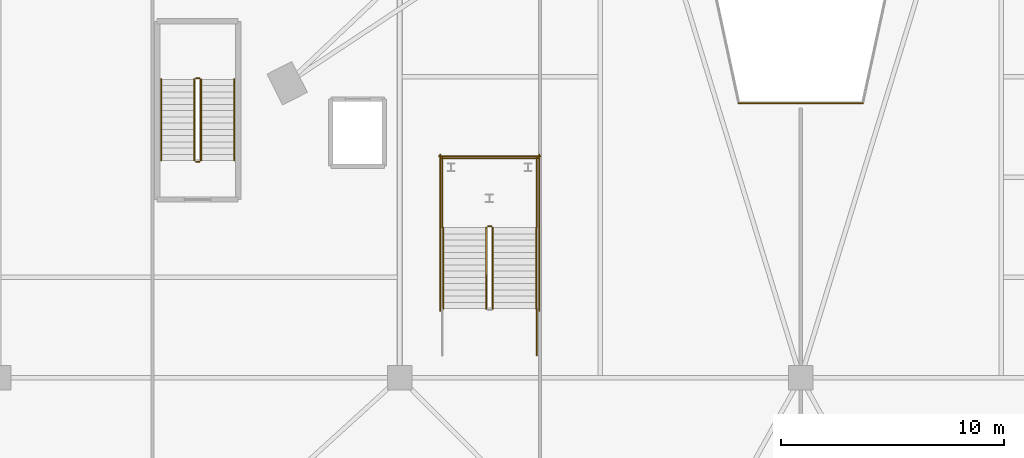
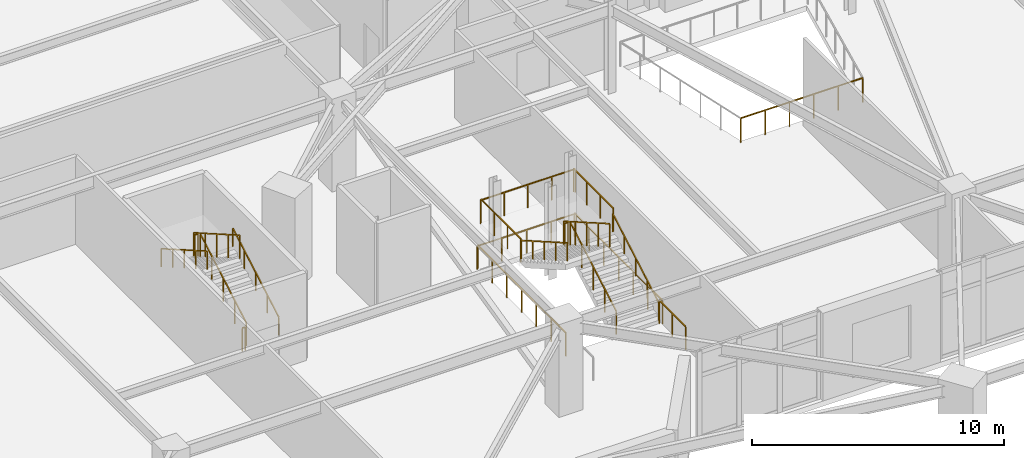
# One storey, part 25 of 29: 19 railings.
"""IFC4 building model written with IfcOpenShell, lengths in metres."""

from ifc_helpers import new_model, si_unit, direction, frame, origin, origin_2d, place, context, subcontext, project, spatial, rectangle, extrude, material, type_object, element, save


model = new_model("IFC4")

# Units and contexts
model_context = context("Model", 3, precision=1e-05, world=origin(), true_north=direction((0.0, 1.0)))
body_context = subcontext(model_context, "Body", "Model", "MODEL_VIEW")
ifc_project = project(units=[si_unit("LENGTHUNIT", "METRE"), si_unit("AREAUNIT", "SQUARE_METRE"), si_unit("VOLUMEUNIT", "CUBIC_METRE"), si_unit("PLANEANGLEUNIT", "RADIAN"), si_unit("MASSUNIT", "GRAM", prefix="KILO")], contexts=[model_context])

# Site, building, storey
site_placement = place(None, origin())
site = spatial("IfcSite", under=ifc_project, at=site_placement, CompositionType="ELEMENT")
building_placement = place(site_placement, origin())
building = spatial("IfcBuilding", under=site, at=building_placement, Name="Liaohun Quay Tower", CompositionType="ELEMENT")
storey_placement = place(building_placement, frame((0.0, 0.0, 5.39990234375)))
storey = spatial("IfcBuildingStorey", under=building, at=storey_placement, Name="L02", CompositionType="ELEMENT", Elevation=5.39990234375)

# Railings
ifc_material_1 = material(Name="Laminated safety glass and stainless steel", Category="steel")
railing_type_1 = type_object("IfcRailingType", Name="RLG-GUARD-ATR", PredefinedType="BALUSTRADE", material=ifc_material_1)
railing_1_placement = place(storey_placement, frame((46.179931640625, 27.10009765625, 0.160888671875)))
element("IfcRailing", 1, at=railing_1_placement, inside=storey, type_object=railing_type_1, Name="L02 ST-A stair guard 1", PredefinedType="BALUSTRADE", context=body_context, shape_type="SweptSolid", body=[
    extrude(rectangle(XDim=0.048095703125, YDim=0.048095703125, at=origin_2d()), frame((0.0, 0.0, 1.1259765625), z_axis=(0.0, 0.867300072446, 0.497785681127), x_axis=(-1.0, 0.0, 0.0)), (0.0, 0.0, 1.0), 4.19677734375),
    extrude(rectangle(XDim=0.0419921875, YDim=0.0419921875, at=origin_2d()), origin(), (0.0, 0.0, 1.0), 1.101806640625),
    extrude(rectangle(XDim=0.0419921875, YDim=0.0419921875, at=origin_2d()), frame((0.0, 0.909912109375, 0.522216796875)), (0.0, 0.0, 1.0), 1.101806640625),
    extrude(rectangle(XDim=0.0419921875, YDim=0.0419921875, at=origin_2d()), frame((0.0, 1.81982421875, 1.04443359375)), (0.0, 0.0, 1.0), 1.101806640625),
    extrude(rectangle(XDim=0.0419921875, YDim=0.0419921875, at=origin_2d()), frame((0.0, 2.72998046875, 1.56689453125)), (0.0, 0.0, 1.0), 1.101806640625),
    extrude(rectangle(XDim=0.0419921875, YDim=0.0419921875, at=origin_2d()), frame((0.0, 3.639892578125, 2.089111328125)), (0.0, 0.0, 1.0), 1.101806640625),
])
railing_2_placement = place(storey_placement, frame((46.10009765625, 30.7900390625, 2.25)))
element("IfcRailing", 2, at=railing_2_placement, inside=storey, type_object=railing_type_1, Name="L02 ST-A stair guard 2", PredefinedType="BALUSTRADE", context=body_context, shape_type="SweptSolid", body=[
    extrude(rectangle(XDim=0.048095703125, YDim=0.048095703125, at=origin_2d()), frame((0.0, 0.0, 1.1259765625), z_axis=(-1.0, 0.0, 0.0), x_axis=(0.0, -1.0, 0.0)), (0.0, 0.0, 1.0), 0.14013671875),
    extrude(rectangle(XDim=0.0419921875, YDim=0.0419921875, at=origin_2d()), origin(), (0.0, 0.0, 1.0), 1.101806640625),
    extrude(rectangle(XDim=0.0419921875, YDim=0.0419921875, at=origin_2d()), frame((-0.14013671875, 0.0, 0.0)), (0.0, 0.0, 1.0), 1.101806640625),
])
for number, where, name in (
    (3, (48.14990234375, 30.739990234375, 2.25), "L02 ST-A stair guard 3"),
    (4, (43.909912109375, 30.739990234375, 2.25), "L02 ST-A stair guard 4"),
):
    element("IfcRailing", number, at=place(storey_placement, frame(where)), inside=storey, type_object=railing_type_1, Name=name, PredefinedType="BALUSTRADE", context=body_context, shape_type="SweptSolid", body=[
        extrude(rectangle(XDim=0.048095703125, YDim=0.048095703125, at=origin_2d()), frame((0.0, 0.0, 1.1259765625), z_axis=(0.0, 1.0, 0.0), x_axis=(-1.0, 0.0, 0.0)), (0.0, 0.0, 1.0), 3.159912109375),
        extrude(rectangle(XDim=0.0419921875, YDim=0.0419921875, at=origin_2d()), origin(), (0.0, 0.0, 1.0), 1.101806640625),
        extrude(rectangle(XDim=0.0419921875, YDim=0.0419921875, at=origin_2d()), frame((0.0, 1.05322265625, 0.0)), (0.0, 0.0, 1.0), 1.101806640625),
        extrude(rectangle(XDim=0.0419921875, YDim=0.0419921875, at=origin_2d()), frame((0.0, 2.106689453125, 0.0)), (0.0, 0.0, 1.0), 1.101806640625),
        extrude(rectangle(XDim=0.0419921875, YDim=0.0419921875, at=origin_2d()), frame((0.0, 3.159912109375, 0.0)), (0.0, 0.0, 1.0), 1.101806640625),
    ])
railing_3_placement = place(storey_placement, frame((48.199951171875, 33.85009765625, 2.25)))
element("IfcRailing", 5, at=railing_3_placement, inside=storey, type_object=railing_type_1, Name="L02 ST-A stair guard 5", PredefinedType="BALUSTRADE", context=body_context, shape_type="SweptSolid", body=[
    extrude(rectangle(XDim=0.048095703125, YDim=0.048095703125, at=origin_2d()), frame((0.0, 0.0, 1.1259765625), z_axis=(-1.0, 0.0, 0.0), x_axis=(0.0, -1.0, 0.0)), (0.0, 0.0, 1.0), 4.33984375),
    extrude(rectangle(XDim=0.0419921875, YDim=0.0419921875, at=origin_2d()), origin(), (0.0, 0.0, 1.0), 1.101806640625),
    extrude(rectangle(XDim=0.0419921875, YDim=0.0419921875, at=origin_2d()), frame((-1.0849609375, 0.0, 0.0)), (0.0, 0.0, 1.0), 1.101806640625),
    extrude(rectangle(XDim=0.0419921875, YDim=0.0419921875, at=origin_2d()), frame((-2.169921875, 0.0, 0.0)), (0.0, 0.0, 1.0), 1.101806640625),
    extrude(rectangle(XDim=0.0419921875, YDim=0.0419921875, at=origin_2d()), frame((-3.2548828125, 0.0, 0.0)), (0.0, 0.0, 1.0), 1.101806640625),
    extrude(rectangle(XDim=0.0419921875, YDim=0.0419921875, at=origin_2d()), frame((-4.33984375, 0.0, 0.0)), (0.0, 0.0, 1.0), 1.101806640625),
])
railing_4_placement = place(storey_placement, frame((45.8798828125, 30.739990234375, 2.410888671875)))
element("IfcRailing", 6, at=railing_4_placement, inside=storey, type_object=railing_type_1, Name="L02 ST-A stair guard 6", PredefinedType="BALUSTRADE", context=body_context, shape_type="SweptSolid", body=[
    extrude(rectangle(XDim=0.048095703125, YDim=0.048095703125, at=origin_2d()), frame((0.0, 0.0, 1.1259765625), z_axis=(0.0, -0.867300072446, 0.497785681127), x_axis=(1.0, 0.0, 0.0)), (0.0, 0.0, 1.0), 4.19677734375),
    extrude(rectangle(XDim=0.0419921875, YDim=0.0419921875, at=origin_2d()), origin(), (0.0, 0.0, 1.0), 1.101806640625),
    extrude(rectangle(XDim=0.0419921875, YDim=0.0419921875, at=origin_2d()), frame((0.0, -0.909912109375, 0.522216796875)), (0.0, 0.0, 1.0), 1.101806640625),
    extrude(rectangle(XDim=0.0419921875, YDim=0.0419921875, at=origin_2d()), frame((0.0, -1.81982421875, 1.04443359375)), (0.0, 0.0, 1.0), 1.101806640625),
    extrude(rectangle(XDim=0.0419921875, YDim=0.0419921875, at=origin_2d()), frame((0.0, -2.72998046875, 1.56689453125)), (0.0, 0.0, 1.0), 1.101806640625),
    extrude(rectangle(XDim=0.0419921875, YDim=0.0419921875, at=origin_2d()), frame((0.0, -3.639892578125, 2.089111328125)), (0.0, 0.0, 1.0), 1.101806640625),
])
railing_5_placement = place(storey_placement, frame((48.14990234375, 25.0, 0.0)))
element("IfcRailing", 7, at=railing_5_placement, inside=storey, type_object=railing_type_1, Name="L02 ST-A stair guard 8", PredefinedType="BALUSTRADE", context=body_context, shape_type="SweptSolid", body=[
    extrude(rectangle(XDim=0.048095703125, YDim=0.048095703125, at=origin_2d()), frame((0.0, 0.0, 1.1259765625), z_axis=(0.0, 1.0, 0.0), x_axis=(-1.0, 0.0, 0.0)), (0.0, 0.0, 1.0), 2.10009765625),
    extrude(rectangle(XDim=0.0419921875, YDim=0.0419921875, at=origin_2d()), origin(), (0.0, 0.0, 1.0), 1.101806640625),
    extrude(rectangle(XDim=0.0419921875, YDim=0.0419921875, at=origin_2d()), frame((0.0, 1.050048828125, 0.0)), (0.0, 0.0, 1.0), 1.101806640625),
    extrude(rectangle(XDim=0.0419921875, YDim=0.0419921875, at=origin_2d()), frame((0.0, 2.10009765625, 0.0)), (0.0, 0.0, 1.0), 1.101806640625),
])
for number, where, name in (
    (8, (48.25, 27.0, 0.0), "L02 ST-A stair guard 10"),
    (9, (43.81005859375, 27.0, 0.0), "L02 ST-A stair guard 11"),
):
    element("IfcRailing", number, at=place(storey_placement, frame(where)), inside=storey, type_object=railing_type_1, Name=name, PredefinedType="BALUSTRADE", context=body_context, shape_type="SweptSolid", body=[
        extrude(rectangle(XDim=0.048095703125, YDim=0.048095703125, at=origin_2d()), frame((0.0, 0.0, 1.1259765625), z_axis=(0.0, 1.0, 0.0), x_axis=(-1.0, 0.0, 0.0)), (0.0, 0.0, 1.0), 7.0),
        extrude(rectangle(XDim=0.0419921875, YDim=0.0419921875, at=origin_2d()), origin(), (0.0, 0.0, 1.0), 1.101806640625),
        extrude(rectangle(XDim=0.0419921875, YDim=0.0419921875, at=origin_2d()), frame((0.0, 1.166748046875, 0.0)), (0.0, 0.0, 1.0), 1.101806640625),
        extrude(rectangle(XDim=0.0419921875, YDim=0.0419921875, at=origin_2d()), frame((0.0, 2.333251953125, 0.0)), (0.0, 0.0, 1.0), 1.101806640625),
        extrude(rectangle(XDim=0.0419921875, YDim=0.0419921875, at=origin_2d()), frame((0.0, 3.5, 0.0)), (0.0, 0.0, 1.0), 1.101806640625),
        extrude(rectangle(XDim=0.0419921875, YDim=0.0419921875, at=origin_2d()), frame((0.0, 4.666748046875, 0.0)), (0.0, 0.0, 1.0), 1.101806640625),
        extrude(rectangle(XDim=0.0419921875, YDim=0.0419921875, at=origin_2d()), frame((0.0, 5.833251953125, 0.0)), (0.0, 0.0, 1.0), 1.101806640625),
        extrude(rectangle(XDim=0.0419921875, YDim=0.0419921875, at=origin_2d()), frame((0.0, 7.0, 0.0)), (0.0, 0.0, 1.0), 1.101806640625),
    ])
railing_6_placement = place(storey_placement, frame((48.300048828125, 33.949951171875, 0.0)))
element("IfcRailing", 10, at=railing_6_placement, inside=storey, type_object=railing_type_1, Name="L02 ST-A stair guard 12", PredefinedType="BALUSTRADE", context=body_context, shape_type="SweptSolid", body=[
    extrude(rectangle(XDim=0.048095703125, YDim=0.048095703125, at=origin_2d()), frame((0.0, 0.0, 1.1259765625), z_axis=(-1.0, 0.0, 0.0), x_axis=(0.0, -1.0, 0.0)), (0.0, 0.0, 1.0), 4.5400390625),
    extrude(rectangle(XDim=0.0419921875, YDim=0.0419921875, at=origin_2d()), origin(), (0.0, 0.0, 1.0), 1.101806640625),
    extrude(rectangle(XDim=0.0419921875, YDim=0.0419921875, at=origin_2d()), frame((-1.135009765625, 0.0, 0.0)), (0.0, 0.0, 1.0), 1.101806640625),
    extrude(rectangle(XDim=0.0419921875, YDim=0.0419921875, at=origin_2d()), frame((-2.27001953125, 0.0, 0.0)), (0.0, 0.0, 1.0), 1.101806640625),
    extrude(rectangle(XDim=0.0419921875, YDim=0.0419921875, at=origin_2d()), frame((-3.405029296875, 0.0, 0.0)), (0.0, 0.0, 1.0), 1.101806640625),
    extrude(rectangle(XDim=0.0419921875, YDim=0.0419921875, at=origin_2d()), frame((-4.5400390625, 0.0, 0.0)), (0.0, 0.0, 1.0), 1.101806640625),
])
railing_7_placement = place(storey_placement, frame((62.794921875, 36.320068359375, 0.0)))
element("IfcRailing", 11, at=railing_7_placement, inside=storey, type_object=railing_type_1, Name="L02 Atrium Edge Balustrade 4", PredefinedType="BALUSTRADE", context=body_context, shape_type="SweptSolid", body=[
    extrude(rectangle(XDim=0.048095703125, YDim=0.048095703125, at=origin_2d()), frame((0.0, 0.0, 1.17578125), z_axis=(-1.0, 0.0, 0.0), x_axis=(0.0, -1.0, 0.0)), (0.0, 0.0, 1.0), 5.58984375),
    extrude(rectangle(XDim=0.0419921875, YDim=0.0419921875, at=origin_2d()), origin(), (0.0, 0.0, 1.0), 1.15185546875),
    extrude(rectangle(XDim=0.0419921875, YDim=0.0419921875, at=origin_2d()), frame((-1.117919921875, 0.0, 0.0)), (0.0, 0.0, 1.0), 1.15185546875),
    extrude(rectangle(XDim=0.0419921875, YDim=0.0419921875, at=origin_2d()), frame((-2.23583984375, 0.0, 0.0)), (0.0, 0.0, 1.0), 1.15185546875),
    extrude(rectangle(XDim=0.0419921875, YDim=0.0419921875, at=origin_2d()), frame((-3.35400390625, 0.0, 0.0)), (0.0, 0.0, 1.0), 1.15185546875),
    extrude(rectangle(XDim=0.0419921875, YDim=0.0419921875, at=origin_2d()), frame((-4.471923828125, 0.0, 0.0)), (0.0, 0.0, 1.0), 1.15185546875),
    extrude(rectangle(XDim=0.0419921875, YDim=0.0419921875, at=origin_2d()), frame((-5.58984375, 0.0, 0.0)), (0.0, 0.0, 1.0), 1.15185546875),
])
ifc_material_2 = material(Name="Painted tubular steel", Category="steel")
railing_type_2 = type_object("IfcRailingType", Name="RLG-GUARD-STR", PredefinedType="GUARDRAIL", material=ifc_material_2)
railing_8_placement = place(storey_placement, frame((33.070068359375, 33.75, 0.160888671875)))
element("IfcRailing", 12, at=railing_8_placement, inside=storey, type_object=railing_type_2, Name="L02 ST-P1 stair guard 1", PredefinedType="GUARDRAIL", context=body_context, shape_type="SweptSolid", body=[
    extrude(rectangle(XDim=0.048095703125, YDim=0.048095703125, at=origin_2d()), frame((0.0, 0.0, 1.1259765625), z_axis=(0.0, 0.867300072446, 0.497785681127), x_axis=(-1.0, 0.0, 0.0)), (0.0, 0.0, 1.0), 4.19677734375),
    extrude(rectangle(XDim=0.0419921875, YDim=0.0419921875, at=origin_2d()), origin(), (0.0, 0.0, 1.0), 1.101806640625),
    extrude(rectangle(XDim=0.0419921875, YDim=0.0419921875, at=origin_2d()), frame((0.0, 0.909912109375, 0.522216796875)), (0.0, 0.0, 1.0), 1.101806640625),
    extrude(rectangle(XDim=0.0419921875, YDim=0.0419921875, at=origin_2d()), frame((0.0, 1.81982421875, 1.04443359375)), (0.0, 0.0, 1.0), 1.101806640625),
    extrude(rectangle(XDim=0.0419921875, YDim=0.0419921875, at=origin_2d()), frame((0.0, 2.72998046875, 1.56689453125)), (0.0, 0.0, 1.0), 1.101806640625),
    extrude(rectangle(XDim=0.0419921875, YDim=0.0419921875, at=origin_2d()), frame((0.0, 3.639892578125, 2.089111328125)), (0.0, 0.0, 1.0), 1.101806640625),
])
railing_9_placement = place(storey_placement, frame((32.989990234375, 37.43994140625, 2.25)))
element("IfcRailing", 13, at=railing_9_placement, inside=storey, type_object=railing_type_2, Name="L02 ST-P1 stair guard 2", PredefinedType="GUARDRAIL", context=body_context, shape_type="SweptSolid", body=[
    extrude(rectangle(XDim=0.048095703125, YDim=0.048095703125, at=origin_2d()), frame((0.0, 0.0, 1.1259765625), z_axis=(-1.0, 0.0, 0.0), x_axis=(0.0, -1.0, 0.0)), (0.0, 0.0, 1.0), 0.139892578125),
    extrude(rectangle(XDim=0.0419921875, YDim=0.0419921875, at=origin_2d()), origin(), (0.0, 0.0, 1.0), 1.101806640625),
    extrude(rectangle(XDim=0.0419921875, YDim=0.0419921875, at=origin_2d()), frame((-0.139892578125, 0.0, 0.0)), (0.0, 0.0, 1.0), 1.101806640625),
])
railing_10_placement = place(storey_placement, frame((32.77001953125, 37.389892578125, 2.410888671875)))
element("IfcRailing", 14, at=railing_10_placement, inside=storey, type_object=railing_type_2, Name="L02 ST-P1 stair guard 3", PredefinedType="GUARDRAIL", context=body_context, shape_type="SweptSolid", body=[
    extrude(rectangle(XDim=0.048095703125, YDim=0.048095703125, at=origin_2d()), frame((0.0, 0.0, 1.1259765625), z_axis=(0.0, -0.867300072446, 0.497785681127), x_axis=(1.0, 0.0, 0.0)), (0.0, 0.0, 1.0), 4.19677734375),
    extrude(rectangle(XDim=0.0419921875, YDim=0.0419921875, at=origin_2d()), origin(), (0.0, 0.0, 1.0), 1.101806640625),
    extrude(rectangle(XDim=0.0419921875, YDim=0.0419921875, at=origin_2d()), frame((0.0, -0.909912109375, 0.522216796875)), (0.0, 0.0, 1.0), 1.101806640625),
    extrude(rectangle(XDim=0.0419921875, YDim=0.0419921875, at=origin_2d()), frame((0.0, -1.81982421875, 1.04443359375)), (0.0, 0.0, 1.0), 1.101806640625),
    extrude(rectangle(XDim=0.0419921875, YDim=0.0419921875, at=origin_2d()), frame((0.0, -2.72998046875, 1.56689453125)), (0.0, 0.0, 1.0), 1.101806640625),
    extrude(rectangle(XDim=0.0419921875, YDim=0.0419921875, at=origin_2d()), frame((0.0, -3.639892578125, 2.089111328125)), (0.0, 0.0, 1.0), 1.101806640625),
])
railing_11_placement = place(storey_placement, frame((32.989990234375, 33.699951171875, 0.0)))
element("IfcRailing", 15, at=railing_11_placement, inside=storey, type_object=railing_type_2, Name="L02 ST-P1 stair guard 4", PredefinedType="GUARDRAIL", context=body_context, shape_type="SweptSolid", body=[
    extrude(rectangle(XDim=0.048095703125, YDim=0.048095703125, at=origin_2d()), frame((0.0, 0.0, 1.1259765625), z_axis=(-1.0, 0.0, 0.0), x_axis=(0.0, -1.0, 0.0)), (0.0, 0.0, 1.0), 0.139892578125),
    extrude(rectangle(XDim=0.0419921875, YDim=0.0419921875, at=origin_2d()), origin(), (0.0, 0.0, 1.0), 1.101806640625),
    extrude(rectangle(XDim=0.0419921875, YDim=0.0419921875, at=origin_2d()), frame((-0.139892578125, 0.0, 0.0)), (0.0, 0.0, 1.0), 1.101806640625),
])
ifc_material_3 = material(Name="Brushed stainless steel", Category="steel")
railing_type_3 = type_object("IfcRailingType", Name="RLG-HND-STR", PredefinedType="HANDRAIL", material=ifc_material_3)
railing_12_placement = place(storey_placement, frame((34.56005859375, 33.75, 0.160888671875)))
element("IfcRailing", 16, at=railing_12_placement, inside=storey, type_object=railing_type_3, Name="L02 ST-P1 stair handrail 1", PredefinedType="HANDRAIL", context=body_context, shape_type="SweptSolid", body=[
    extrude(rectangle(XDim=0.048095703125, YDim=0.048095703125, at=origin_2d()), frame((0.0, 0.0, 0.8759765625), z_axis=(0.0, 0.867300072446, 0.497785681127), x_axis=(-1.0, 0.0, 0.0)), (0.0, 0.0, 1.0), 4.19677734375),
    extrude(rectangle(XDim=0.0419921875, YDim=0.0419921875, at=origin_2d()), origin(), (0.0, 0.0, 1.0), 0.851806640625),
    extrude(rectangle(XDim=0.0419921875, YDim=0.0419921875, at=origin_2d()), frame((0.0, 0.909912109375, 0.522216796875)), (0.0, 0.0, 1.0), 0.851806640625),
    extrude(rectangle(XDim=0.0419921875, YDim=0.0419921875, at=origin_2d()), frame((0.0, 1.81982421875, 1.04443359375)), (0.0, 0.0, 1.0), 0.851806640625),
    extrude(rectangle(XDim=0.0419921875, YDim=0.0419921875, at=origin_2d()), frame((0.0, 2.72998046875, 1.56689453125)), (0.0, 0.0, 1.0), 0.851806640625),
    extrude(rectangle(XDim=0.0419921875, YDim=0.0419921875, at=origin_2d()), frame((0.0, 3.639892578125, 2.089111328125)), (0.0, 0.0, 1.0), 0.851806640625),
])
railing_13_placement = place(storey_placement, frame((31.280029296875, 37.389892578125, 2.410888671875)))
element("IfcRailing", 17, at=railing_13_placement, inside=storey, type_object=railing_type_3, Name="L02 ST-P1 stair handrail 2", PredefinedType="HANDRAIL", context=body_context, shape_type="SweptSolid", body=[
    extrude(rectangle(XDim=0.048095703125, YDim=0.048095703125, at=origin_2d()), frame((0.0, 0.0, 0.8759765625), z_axis=(0.0, -0.867300072446, 0.497785681127), x_axis=(1.0, 0.0, 0.0)), (0.0, 0.0, 1.0), 4.19677734375),
    extrude(rectangle(XDim=0.0419921875, YDim=0.0419921875, at=origin_2d()), origin(), (0.0, 0.0, 1.0), 0.851806640625),
    extrude(rectangle(XDim=0.0419921875, YDim=0.0419921875, at=origin_2d()), frame((0.0, -0.909912109375, 0.522216796875)), (0.0, 0.0, 1.0), 0.851806640625),
    extrude(rectangle(XDim=0.0419921875, YDim=0.0419921875, at=origin_2d()), frame((0.0, -1.81982421875, 1.04443359375)), (0.0, 0.0, 1.0), 0.851806640625),
    extrude(rectangle(XDim=0.0419921875, YDim=0.0419921875, at=origin_2d()), frame((0.0, -2.72998046875, 1.56689453125)), (0.0, 0.0, 1.0), 0.851806640625),
    extrude(rectangle(XDim=0.0419921875, YDim=0.0419921875, at=origin_2d()), frame((0.0, -3.639892578125, 2.089111328125)), (0.0, 0.0, 1.0), 0.851806640625),
])
railing_14_placement = place(storey_placement, frame((48.1201171875, 27.10009765625, 0.160888671875)))
element("IfcRailing", 18, at=railing_14_placement, inside=storey, type_object=railing_type_3, Name="L02 ST-A stair handrail 1", PredefinedType="HANDRAIL", context=body_context, shape_type="SweptSolid", body=[
    extrude(rectangle(XDim=0.048095703125, YDim=0.048095703125, at=origin_2d()), frame((0.0, 0.0, 0.8759765625), z_axis=(0.0, 0.867300072446, 0.497785681127), x_axis=(-1.0, 0.0, 0.0)), (0.0, 0.0, 1.0), 4.19677734375),
    extrude(rectangle(XDim=0.0419921875, YDim=0.0419921875, at=origin_2d()), origin(), (0.0, 0.0, 1.0), 0.851806640625),
    extrude(rectangle(XDim=0.0419921875, YDim=0.0419921875, at=origin_2d()), frame((0.0, 0.909912109375, 0.522216796875)), (0.0, 0.0, 1.0), 0.851806640625),
    extrude(rectangle(XDim=0.0419921875, YDim=0.0419921875, at=origin_2d()), frame((0.0, 1.81982421875, 1.04443359375)), (0.0, 0.0, 1.0), 0.851806640625),
    extrude(rectangle(XDim=0.0419921875, YDim=0.0419921875, at=origin_2d()), frame((0.0, 2.72998046875, 1.56689453125)), (0.0, 0.0, 1.0), 0.851806640625),
    extrude(rectangle(XDim=0.0419921875, YDim=0.0419921875, at=origin_2d()), frame((0.0, 3.639892578125, 2.089111328125)), (0.0, 0.0, 1.0), 0.851806640625),
])
railing_15_placement = place(storey_placement, frame((43.93994140625, 30.739990234375, 2.410888671875)))
element("IfcRailing", 19, at=railing_15_placement, inside=storey, type_object=railing_type_3, Name="L02 ST-A stair handrail 2", PredefinedType="HANDRAIL", context=body_context, shape_type="SweptSolid", body=[
    extrude(rectangle(XDim=0.048095703125, YDim=0.048095703125, at=origin_2d()), frame((0.0, 0.0, 0.8759765625), z_axis=(0.0, -0.867300072446, 0.497785681127), x_axis=(1.0, 0.0, 0.0)), (0.0, 0.0, 1.0), 4.19677734375),
    extrude(rectangle(XDim=0.0419921875, YDim=0.0419921875, at=origin_2d()), origin(), (0.0, 0.0, 1.0), 0.851806640625),
    extrude(rectangle(XDim=0.0419921875, YDim=0.0419921875, at=origin_2d()), frame((0.0, -0.909912109375, 0.522216796875)), (0.0, 0.0, 1.0), 0.851806640625),
    extrude(rectangle(XDim=0.0419921875, YDim=0.0419921875, at=origin_2d()), frame((0.0, -1.81982421875, 1.04443359375)), (0.0, 0.0, 1.0), 0.851806640625),
    extrude(rectangle(XDim=0.0419921875, YDim=0.0419921875, at=origin_2d()), frame((0.0, -2.72998046875, 1.56689453125)), (0.0, 0.0, 1.0), 0.851806640625),
    extrude(rectangle(XDim=0.0419921875, YDim=0.0419921875, at=origin_2d()), frame((0.0, -3.639892578125, 2.089111328125)), (0.0, 0.0, 1.0), 0.851806640625),
])

save(model, "model.ifc")
